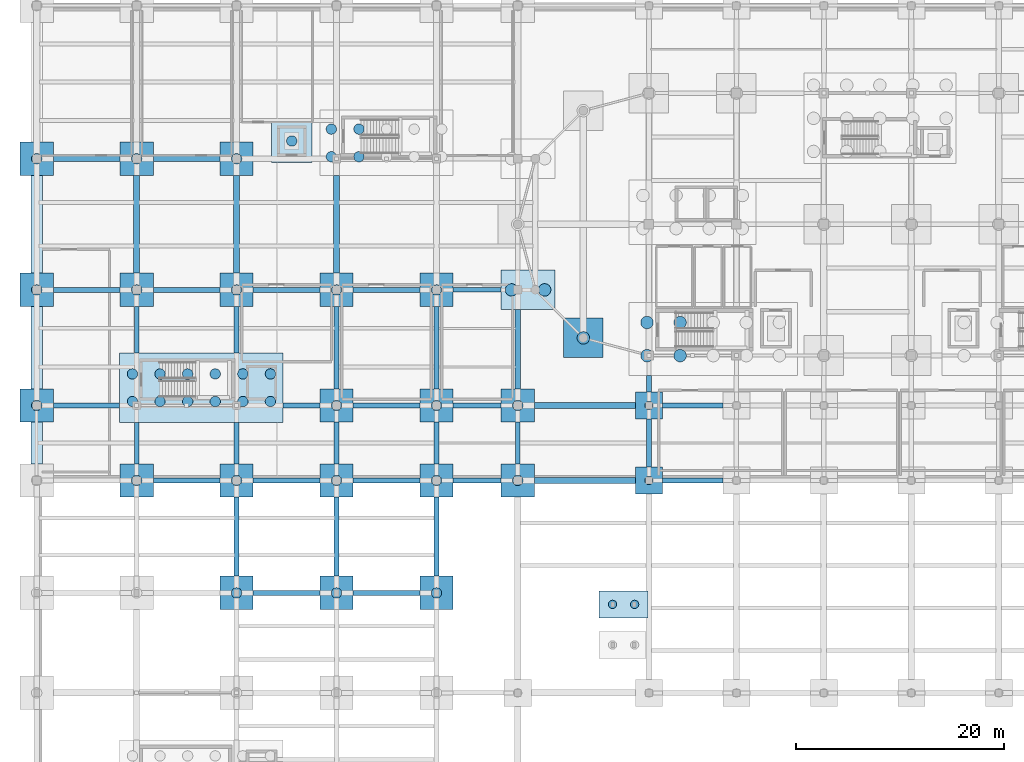
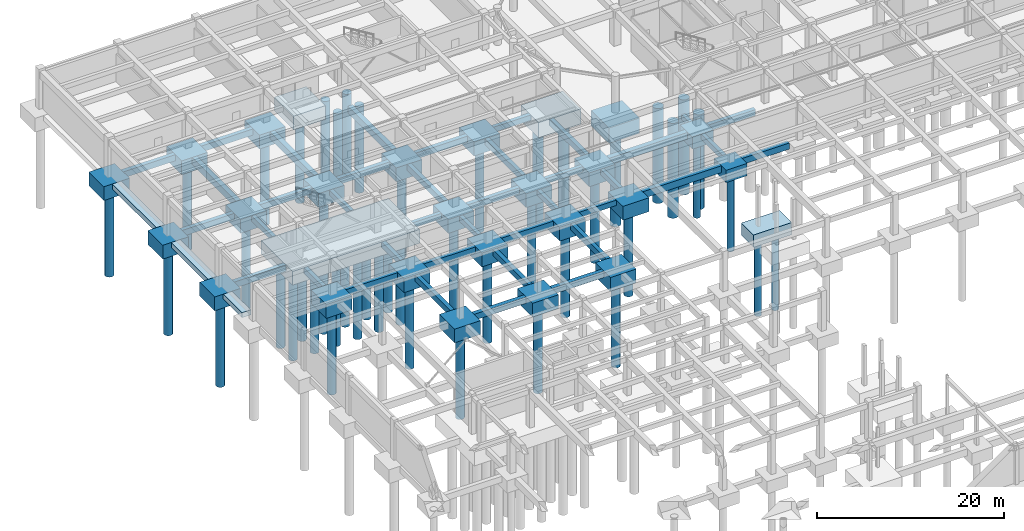
# One storey, part 3 of 37: 69 footings, 48 piles.
"""IFC4 building model written with IfcOpenShell, lengths in metres."""

from ifc_helpers import new_model, si_unit, direction, frame, origin, origin_2d, place, context, subcontext, project, spatial, rectangle, circle, extrude, material, material_profile, profile_set, type_object, element, save


model = new_model("IFC4")

# Units and contexts
model_context = context("Model", 3, precision=1e-05, world=origin(), true_north=direction((0.0, 1.0)))
body_context = subcontext(model_context, "Body", "Model", "MODEL_VIEW")
ifc_project = project(units=[si_unit("LENGTHUNIT", "METRE"), si_unit("AREAUNIT", "SQUARE_METRE"), si_unit("VOLUMEUNIT", "CUBIC_METRE"), si_unit("PLANEANGLEUNIT", "RADIAN"), si_unit("MASSUNIT", "GRAM", prefix="KILO")], contexts=[model_context])

# Site, building, storey
site_placement = place(None, origin())
site = spatial("IfcSite", under=ifc_project, at=site_placement, CompositionType="ELEMENT")
building_placement = place(site_placement, origin())
building = spatial("IfcBuilding", under=site, at=building_placement, Name="Tarnavel Promenade Courthouse", CompositionType="ELEMENT")
storey_placement = place(building_placement, frame((0.0, 0.0, -4.800048828125)))
storey = spatial("IfcBuildingStorey", under=building, at=storey_placement, Name="B01", CompositionType="ELEMENT", Elevation=-4.800048828125)

# Piles
ifc_material_1 = material(Name="Concrete C30/37", Category="concrete")
ifc_material_profile_1 = material_profile(ifc_material_1, circle(Radius=0.5, at=origin_2d()), Name="PILE D1000")
ifc_profile_set_1 = profile_set([ifc_material_profile_1], Name="Concrete C30/37")
pile_type_1 = type_object("IfcPileType", Name="Concrete C30/37 PIL-D1000 (PILE D1000)", PredefinedType="BORED", material=ifc_profile_set_1)
for number, where, z_axis, x_axis, name in (
    (1, (19.199951171875, 56.39990234375, -2.119873046875), (0.0, 0.0, -1.0), (1.0, 0.0, 0.0), "Bored Pile 090-11"),
    (2, (28.800048828125, 56.39990234375, -2.119873046875), (0.0, 0.0, -1.0), (1.0, 0.0, 0.0), "Bored Pile 091-11"),
    (3, (38.39990234375, 56.39990234375, -2.119873046875), (0.0, 0.0, -1.0), (1.0, 0.0, 0.0), "Bored Pile 092-11"),
    (4, (9.60009765625, 67.199951171875, -2.119873046875), (0.0, 0.0, -1.0), (1.0, 0.0, 0.0), "Bored Pile 100-11"),
    (5, (19.199951171875, 67.199951171875, -2.119873046875), (0.0, 0.0, -1.0), (1.0, 0.0, 0.0), "Bored Pile 101-11"),
    (6, (28.800048828125, 67.199951171875, -2.119873046875), (0.0, 0.0, -1.0), (1.0, 0.0, 0.0), "Bored Pile 102-11"),
    (7, (38.39990234375, 67.199951171875, -2.119873046875), (0.0, 0.0, -1.0), (1.0, 0.0, 0.0), "Bored Pile 103-11"),
    (8, (46.199951171875, 67.199951171875, -2.119873046875), (0.0, 0.0, -1.0), (1.0, 0.0, 0.0), "Bored Pile 104-11"),
    (9, (0.0, 74.39990234375, -2.119873046875), (0.0, 0.0, -1.0), (1.0, 0.0, 0.0), "Bored Pile 120-11"),
    (10, (9.199951171875, 74.780029296875, -2.119873046875), (0.0, 0.0, -1.0), (1.0, 0.0, 0.0), "Bored Pile 121-11"),
    (11, (9.199951171875, 77.429931640625, -2.119873046875), (0.0, 0.0, -1.0), (1.0, 0.0, 0.0), "Bored Pile 121-12"),
    (12, (11.85009765625, 74.780029296875, -2.119873046875), (0.0, 0.0, -1.0), (1.0, 0.0, 0.0), "Bored Pile 121-21"),
    (13, (11.85009765625, 77.429931640625, -2.119873046875), (0.0, 0.0, -1.0), (1.0, 0.0, 0.0), "Bored Pile 121-22"),
    (14, (14.5, 74.780029296875, -2.119873046875), (0.0, 0.0, -1.0), (1.0, 0.0, 0.0), "Bored Pile 121-31"),
    (15, (14.5, 77.429931640625, -2.119873046875), (0.0, 0.0, -1.0), (1.0, 0.0, 0.0), "Bored Pile 121-32"),
    (16, (17.14990234375, 74.780029296875, -2.119873046875), (0.0, 0.0, -1.0), (1.0, 0.0, 0.0), "Bored Pile 121-41"),
    (17, (17.14990234375, 77.429931640625, -2.119873046875), (0.0, 0.0, -1.0), (1.0, 0.0, 0.0), "Bored Pile 121-42"),
    (18, (19.800048828125, 74.780029296875, -2.119873046875), (0.0, 0.0, -1.0), (1.0, 0.0, 0.0), "Bored Pile 121-51"),
    (19, (19.800048828125, 77.429931640625, -2.119873046875), (0.0, 0.0, -1.0), (1.0, 0.0, 0.0), "Bored Pile 121-52"),
    (20, (22.449951171875, 74.780029296875, -2.119873046875), (0.0, 0.0, -1.0), (1.0, 0.0, 0.0), "Bored Pile 121-61"),
    (21, (22.449951171875, 77.429931640625, -2.119873046875), (0.0, 0.0, -1.0), (1.0, 0.0, 0.0), "Bored Pile 121-62"),
    (22, (28.800048828125, 74.39990234375, -2.119873046875), (0.0, 0.0, -1.0), (1.0, 0.0, 0.0), "Bored Pile 122-11"),
    (23, (38.39990234375, 74.39990234375, -2.119873046875), (0.0, 0.0, -1.0), (1.0, 0.0, 0.0), "Bored Pile 123-11"),
    (24, (46.199951171875, 74.39990234375, -2.119873046875), (0.0, 0.0, -1.0), (1.0, 0.0, 0.0), "Bored Pile 124-11"),
    (25, (0.0, 85.5, -2.119873046875), (0.0, 0.0, -1.0), (1.0, 0.0, 0.0), "Bored Pile 144-11"),
    (26, (9.60009765625, 85.5, -2.119873046875), (0.0, 0.0, -1.0), (1.0, 0.0, 0.0), "Bored Pile 145-11"),
    (27, (19.199951171875, 85.5, -2.119873046875), (0.0, 0.0, -1.0), (1.0, 0.0, 0.0), "Bored Pile 146-11"),
    (28, (28.800048828125, 85.5, -2.119873046875), (0.0, 0.0, -1.0), (1.0, 0.0, 0.0), "Bored Pile 147-11"),
    (29, (38.39990234375, 85.5, -2.119873046875), (0.0, 0.0, -1.0), (1.0, 0.0, 0.0), "Bored Pile 148-11"),
    (30, (0.0, 98.10009765625, -2.119873046875), (0.0, 0.0, -1.0), (1.0, 0.0, 0.0), "Bored Pile 163-11"),
    (31, (9.60009765625, 98.10009765625, -2.119873046875), (0.0, 0.0, -1.0), (1.0, 0.0, 0.0), "Bored Pile 164-11"),
    (32, (19.199951171875, 98.10009765625, -2.119873046875), (0.0, 0.0, -1.0), (1.0, 0.0, 0.0), "Bored Pile 165-11"),
    (33, (28.300048828125, 98.2900390625, -2.119873046875), (0.0, 0.0, -1.0), (1.0, 0.0, 0.0), "Bored Pile 166-11"),
    (34, (28.300048828125, 100.93994140625, -2.119873046875), (0.0, 0.0, -1.0), (1.0, 0.0, 0.0), "Bored Pile 166-12"),
    (35, (30.949951171875, 98.2900390625, -2.119873046875), (0.0, 0.0, -1.0), (1.0, 0.0, 0.0), "Bored Pile 166-21"),
    (36, (30.949951171875, 100.93994140625, -2.119873046875), (0.0, 0.0, -1.0), (1.0, 0.0, 0.0), "Bored Pile 166-22"),
    (37, (24.5, 99.800048828125, -2.119873046875), (0.0, 0.0, -1.0), (1.0, 0.0, 0.0), "Bored Pile 173-11"),
):
    element("IfcPile", number, at=place(storey_placement, frame(where, z_axis=z_axis, x_axis=x_axis)), inside=storey, type_object=pile_type_1, Name=name, PredefinedType="BORED", context=body_context, shape_type="SweptSolid", body=[
        extrude(circle(Radius=0.5, at=origin_2d()), origin(), (0.0, 0.0, 1.0), 11.280029296875),
    ])
ifc_material_profile_2 = material_profile(ifc_material_1, circle(Radius=0.60009765625, at=origin_2d()), Name="PILE D1200")
ifc_profile_set_2 = profile_set([ifc_material_profile_2], Name="Concrete C30/37")
pile_type_2 = type_object("IfcPileType", Name="Concrete C30/37 PIL-D1200 (PILE D1200)", PredefinedType="BORED", material=ifc_profile_set_2)
for number, where, z_axis, x_axis, name in (
    (38, (58.614990234375, 79.18505859375, -2.320068359375), (0.0, 0.0, -1.0), (1.0, 0.0, 0.0), "Bored Pile 136-11"),
    (39, (58.614990234375, 82.364990234375, -2.320068359375), (0.0, 0.0, -1.0), (1.0, 0.0, 0.0), "Bored Pile 136-12"),
    (40, (61.794921875, 79.18505859375, -2.320068359375), (0.0, 0.0, -1.0), (1.0, 0.0, 0.0), "Bored Pile 136-21"),
    (41, (61.794921875, 82.364990234375, -2.320068359375), (0.0, 0.0, -1.0), (1.0, 0.0, 0.0), "Bored Pile 136-22"),
    (42, (52.5, 80.88818359375, -2.320068359375), (0.0, 0.0, -1.0), (1.0, 0.0, 0.0), "Bored Pile 140-11"),
    (43, (45.60400390625, 85.5, -2.320068359375), (0.0, 0.0, -1.0), (1.0, 0.0, 0.0), "Bored Pile 142-11"),
    (44, (48.7841796875, 85.5, -2.320068359375), (0.0, 0.0, -1.0), (1.0, 0.0, 0.0), "Bored Pile 142-21"),
):
    element("IfcPile", number, at=place(storey_placement, frame(where, z_axis=z_axis, x_axis=x_axis)), inside=storey, type_object=pile_type_2, Name=name, PredefinedType="BORED", context=body_context, shape_type="SweptSolid", body=[
        extrude(circle(Radius=0.60009765625, at=origin_2d()), origin(), (0.0, 0.0, 1.0), 12.3798828125),
    ])
ifc_material_profile_3 = material_profile(ifc_material_1, circle(Radius=0.39990234375, at=origin_2d()), Name="PILE D800")
ifc_profile_set_3 = profile_set([ifc_material_profile_3], Name="Concrete C30/37")
pile_type_3 = type_object("IfcPileType", Name="Concrete C30/37 PIL-D800 (PILE D800)", PredefinedType="BORED", material=ifc_profile_set_3)
for number, where, z_axis, x_axis, name in (
    (45, (55.304931640625, 55.300048828125, -1.919921875), (0.0, 0.0, -1.0), (1.0, 0.0, 0.0), "Bored Pile 087-11"),
    (46, (57.425048828125, 55.300048828125, -1.919921875), (0.0, 0.0, -1.0), (1.0, 0.0, 0.0), "Bored Pile 087-21"),
    (47, (58.800048828125, 67.199951171875, -1.919921875), (0.0, 0.0, -1.0), (1.0, 0.0, 0.0), "Bored Pile 113-11"),
    (48, (58.800048828125, 74.39990234375, -1.919921875), (0.0, 0.0, -1.0), (1.0, 0.0, 0.0), "Bored Pile 125-11"),
):
    element("IfcPile", number, at=place(storey_placement, frame(where, z_axis=z_axis, x_axis=x_axis)), inside=storey, type_object=pile_type_3, Name=name, PredefinedType="BORED", context=body_context, shape_type="SweptSolid", body=[
        extrude(circle(Radius=0.39990234375, at=origin_2d()), origin(), (0.0, 0.0, 1.0), 10.080078125),
    ])

# Footings
ifc_material_2 = material(Name="Concrete C35/45", Category="concrete")
ifc_material_profile_4 = material_profile(ifc_material_2, rectangle(XDim=0.449951171875, YDim=0.699951171875, at=origin_2d()), Name="GB 450x700")
ifc_profile_set_4 = profile_set([ifc_material_profile_4], Name="Concrete C35/45")
footing_type_1 = type_object("IfcFootingType", Name="Concrete C35/45 FTG-GB-450x700 (GB 450x700)", PredefinedType="FOOTING_BEAM", material=ifc_profile_set_4)
footing_1_placement = place(storey_placement, frame((40.0, 67.199951171875, -0.77001953125), z_axis=(1.0, 0.0, 0.0), x_axis=(0.0, 1.0, 0.0)))
element("IfcFooting", 49, at=footing_1_placement, inside=storey, type_object=footing_type_1, Name="Seismic Ground Tie Beam GB-X-085", PredefinedType="FOOTING_BEAM", context=body_context, shape_type="SweptSolid", body=[
    extrude(rectangle(XDim=0.449951171875, YDim=0.699951171875, at=origin_2d()), origin(), (0.0, 0.0, 1.0), 4.60009765625),
])
footing_2_placement = place(storey_placement, frame((23.675048828125, 74.39990234375, -0.77001953125), z_axis=(1.0, 0.0, 0.0), x_axis=(0.0, 1.0, 0.0)))
element("IfcFooting", 50, at=footing_2_placement, inside=storey, type_object=footing_type_1, Name="Seismic Ground Tie Beam GB-X-101", PredefinedType="FOOTING_BEAM", context=body_context, shape_type="SweptSolid", body=[
    extrude(rectangle(XDim=0.449951171875, YDim=0.699951171875, at=origin_2d()), origin(), (0.0, 0.0, 1.0), 3.52490234375),
])
footing_3_placement = place(storey_placement, frame((40.0, 74.39990234375, -0.77001953125), z_axis=(1.0, 0.0, 0.0), x_axis=(0.0, 1.0, 0.0)))
element("IfcFooting", 51, at=footing_3_placement, inside=storey, type_object=footing_type_1, Name="Seismic Ground Tie Beam GB-X-103", PredefinedType="FOOTING_BEAM", context=body_context, shape_type="SweptSolid", body=[
    extrude(rectangle(XDim=0.449951171875, YDim=0.699951171875, at=origin_2d()), origin(), (0.0, 0.0, 1.0), 4.60009765625),
])
footing_4_placement = place(storey_placement, frame((40.0, 85.5, -0.77001953125), z_axis=(1.0, 0.0, 0.0), x_axis=(0.0, 1.0, 0.0)))
element("IfcFooting", 52, at=footing_4_placement, inside=storey, type_object=footing_type_1, Name="Seismic Ground Tie Beam GB-X-121", PredefinedType="FOOTING_BEAM", context=body_context, shape_type="SweptSolid", body=[
    extrude(rectangle(XDim=0.449951171875, YDim=0.699951171875, at=origin_2d()), origin(), (0.0, 0.0, 1.0), 4.593994140625),
])
footing_5_placement = place(storey_placement, frame((9.60009765625, 68.800048828125, -0.77001953125), z_axis=(0.0, 1.0, 0.0), x_axis=(-1.0, 0.0, 0.0)))
element("IfcFooting", 53, at=footing_5_placement, inside=storey, type_object=footing_type_1, Name="Seismic Ground Tie Beam GB-Y-182", PredefinedType="FOOTING_BEAM", context=body_context, shape_type="SweptSolid", body=[
    extrude(rectangle(XDim=0.449951171875, YDim=0.699951171875, at=origin_2d()), origin(), (0.0, 0.0, 1.0), 3.954833984375),
])
footing_6_placement = place(storey_placement, frame((9.60009765625, 79.455078125, -0.77001953125), z_axis=(0.0, 1.0, 0.0), x_axis=(-1.0, 0.0, 0.0)))
element("IfcFooting", 54, at=footing_6_placement, inside=storey, type_object=footing_type_1, Name="Seismic Ground Tie Beam GB-Y-183", PredefinedType="FOOTING_BEAM", context=body_context, shape_type="SweptSolid", body=[
    extrude(rectangle(XDim=0.449951171875, YDim=0.699951171875, at=origin_2d()), origin(), (0.0, 0.0, 1.0), 4.44482421875),
])
footing_7_placement = place(storey_placement, frame((19.199951171875, 68.800048828125, -0.77001953125), z_axis=(0.0, 1.0, 0.0), x_axis=(-1.0, 0.0, 0.0)))
element("IfcFooting", 55, at=footing_7_placement, inside=storey, type_object=footing_type_1, Name="Seismic Ground Tie Beam GB-Y-189", PredefinedType="FOOTING_BEAM", context=body_context, shape_type="SweptSolid", body=[
    extrude(rectangle(XDim=0.449951171875, YDim=0.699951171875, at=origin_2d()), origin(), (0.0, 0.0, 1.0), 3.954833984375),
])
footing_8_placement = place(storey_placement, frame((19.199951171875, 79.455078125, -0.77001953125), z_axis=(0.0, 1.0, 0.0), x_axis=(-1.0, 0.0, 0.0)))
element("IfcFooting", 56, at=footing_8_placement, inside=storey, type_object=footing_type_1, Name="Seismic Ground Tie Beam GB-Y-190", PredefinedType="FOOTING_BEAM", context=body_context, shape_type="SweptSolid", body=[
    extrude(rectangle(XDim=0.449951171875, YDim=0.699951171875, at=origin_2d()), origin(), (0.0, 0.0, 1.0), 4.44482421875),
])
for number, where, z_axis, x_axis, name in (
    (57, (28.800048828125, 68.800048828125, -0.77001953125), (0.0, 1.0, 0.0), (-1.0, 0.0, 0.0), "Seismic Ground Tie Beam GB-Y-197"),
    (58, (38.39990234375, 68.800048828125, -0.77001953125), (0.0, 1.0, 0.0), (-1.0, 0.0, 0.0), "Seismic Ground Tie Beam GB-Y-204"),
    (59, (46.199951171875, 68.800048828125, -0.77001953125), (0.0, 1.0, 0.0), (-1.0, 0.0, 0.0), "Seismic Ground Tie Beam GB-Y-209"),
):
    element("IfcFooting", number, at=place(storey_placement, frame(where, z_axis=z_axis, x_axis=x_axis)), inside=storey, type_object=footing_type_1, Name=name, PredefinedType="FOOTING_BEAM", context=body_context, shape_type="SweptSolid", body=[
        extrude(rectangle(XDim=0.449951171875, YDim=0.699951171875, at=origin_2d()), origin(), (0.0, 0.0, 1.0), 4.0),
    ])
footing_9_placement = place(storey_placement, frame((58.800048828125, 68.5, -0.77001953125), z_axis=(0.0, 1.0, 0.0), x_axis=(-1.0, 0.0, 0.0)))
element("IfcFooting", 60, at=footing_9_placement, inside=storey, type_object=footing_type_1, Name="Seismic Ground Tie Beam GB-Y-214", PredefinedType="FOOTING_BEAM", context=body_context, shape_type="SweptSolid", body=[
    extrude(rectangle(XDim=0.449951171875, YDim=0.699951171875, at=origin_2d()), origin(), (0.0, 0.0, 1.0), 4.60009765625),
])
footing_10_placement = place(storey_placement, frame((58.800048828125, 75.699951171875, -0.77001953125), z_axis=(0.0, 1.0, 0.0), x_axis=(-1.0, 0.0, 0.0)))
element("IfcFooting", 61, at=footing_10_placement, inside=storey, type_object=footing_type_1, Name="Seismic Ground Tie Beam GB-Y-215", PredefinedType="FOOTING_BEAM", context=body_context, shape_type="SweptSolid", body=[
    extrude(rectangle(XDim=0.449951171875, YDim=0.699951171875, at=origin_2d()), origin(), (0.0, 0.0, 1.0), 1.574951171875),
])
ifc_material_profile_5 = material_profile(ifc_material_2, rectangle(XDim=0.5, YDim=0.800048828125, at=origin_2d()), Name="GB 500x800")
ifc_profile_set_5 = profile_set([ifc_material_profile_5], Name="Concrete C35/45")
footing_type_2 = type_object("IfcFootingType", Name="Concrete C35/45 FTG-GB-500x800 (GB 500x800)", PredefinedType="FOOTING_BEAM", material=ifc_profile_set_5)
footing_11_placement = place(storey_placement, frame((20.800048828125, 56.39990234375, -0.820068359375), z_axis=(1.0, 0.0, 0.0), x_axis=(0.0, 1.0, 0.0)))
element("IfcFooting", 62, at=footing_11_placement, inside=storey, type_object=footing_type_2, Name="Seismic Ground Tie Beam GB-X-075", PredefinedType="FOOTING_BEAM", context=body_context, shape_type="SweptSolid", body=[
    extrude(rectangle(XDim=0.5, YDim=0.800048828125, at=origin_2d()), origin(), (0.0, 0.0, 1.0), 6.39990234375),
])
for number, where, z_axis, x_axis, name in (
    (63, (30.39990234375, 56.39990234375, -0.820068359375), (1.0, 0.0, 0.0), (0.0, 1.0, 0.0), "Seismic Ground Tie Beam GB-X-076"),
    (64, (11.199951171875, 67.199951171875, -0.820068359375), (1.0, 0.0, 0.0), (0.0, 1.0, 0.0), "Seismic Ground Tie Beam GB-X-082"),
):
    element("IfcFooting", number, at=place(storey_placement, frame(where, z_axis=z_axis, x_axis=x_axis)), inside=storey, type_object=footing_type_2, Name=name, PredefinedType="FOOTING_BEAM", context=body_context, shape_type="SweptSolid", body=[
        extrude(rectangle(XDim=0.5, YDim=0.800048828125, at=origin_2d()), origin(), (0.0, 0.0, 1.0), 6.400146484375),
    ])
footing_12_placement = place(storey_placement, frame((20.800048828125, 67.199951171875, -0.820068359375), z_axis=(1.0, 0.0, 0.0), x_axis=(0.0, 1.0, 0.0)))
element("IfcFooting", 65, at=footing_12_placement, inside=storey, type_object=footing_type_2, Name="Seismic Ground Tie Beam GB-X-083", PredefinedType="FOOTING_BEAM", context=body_context, shape_type="SweptSolid", body=[
    extrude(rectangle(XDim=0.5, YDim=0.800048828125, at=origin_2d()), origin(), (0.0, 0.0, 1.0), 6.39990234375),
])
footing_13_placement = place(storey_placement, frame((30.39990234375, 67.199951171875, -0.820068359375), z_axis=(1.0, 0.0, 0.0), x_axis=(0.0, 1.0, 0.0)))
element("IfcFooting", 66, at=footing_13_placement, inside=storey, type_object=footing_type_2, Name="Seismic Ground Tie Beam GB-X-084", PredefinedType="FOOTING_BEAM", context=body_context, shape_type="SweptSolid", body=[
    extrude(rectangle(XDim=0.5, YDim=0.800048828125, at=origin_2d()), origin(), (0.0, 0.0, 1.0), 6.400146484375),
])
footing_14_placement = place(storey_placement, frame((60.10009765625, 67.199951171875, -0.820068359375), z_axis=(1.0, 0.0, 0.0), x_axis=(0.0, 1.0, 0.0)))
element("IfcFooting", 67, at=footing_14_placement, inside=storey, type_object=footing_type_2, Name="Seismic Ground Tie Beam GB-X-087", PredefinedType="FOOTING_BEAM", context=body_context, shape_type="SweptSolid", body=[
    extrude(rectangle(XDim=0.5, YDim=0.800048828125, at=origin_2d()), origin(), (0.0, 0.0, 1.0), 5.7998046875),
])
footing_15_placement = place(storey_placement, frame((1.60009765625, 74.39990234375, -0.820068359375), z_axis=(1.0, 0.0, 0.0), x_axis=(0.0, 1.0, 0.0)))
element("IfcFooting", 68, at=footing_15_placement, inside=storey, type_object=footing_type_2, Name="Seismic Ground Tie Beam GB-X-100", PredefinedType="FOOTING_BEAM", context=body_context, shape_type="SweptSolid", body=[
    extrude(rectangle(XDim=0.5, YDim=0.800048828125, at=origin_2d()), origin(), (0.0, 0.0, 1.0), 6.375),
])
footing_16_placement = place(storey_placement, frame((30.39990234375, 74.39990234375, -0.820068359375), z_axis=(1.0, 0.0, 0.0), x_axis=(0.0, 1.0, 0.0)))
element("IfcFooting", 69, at=footing_16_placement, inside=storey, type_object=footing_type_2, Name="Seismic Ground Tie Beam GB-X-102", PredefinedType="FOOTING_BEAM", context=body_context, shape_type="SweptSolid", body=[
    extrude(rectangle(XDim=0.5, YDim=0.800048828125, at=origin_2d()), origin(), (0.0, 0.0, 1.0), 6.400146484375),
])
footing_17_placement = place(storey_placement, frame((60.10009765625, 74.39990234375, -0.820068359375), z_axis=(1.0, 0.0, 0.0), x_axis=(0.0, 1.0, 0.0)))
element("IfcFooting", 70, at=footing_17_placement, inside=storey, type_object=footing_type_2, Name="Seismic Ground Tie Beam GB-X-105", PredefinedType="FOOTING_BEAM", context=body_context, shape_type="SweptSolid", body=[
    extrude(rectangle(XDim=0.5, YDim=0.800048828125, at=origin_2d()), origin(), (0.0, 0.0, 1.0), 5.7998046875),
])
footing_18_placement = place(storey_placement, frame((1.60009765625, 85.5, -0.820068359375), z_axis=(1.0, 0.0, 0.0), x_axis=(0.0, 1.0, 0.0)))
element("IfcFooting", 71, at=footing_18_placement, inside=storey, type_object=footing_type_2, Name="Seismic Ground Tie Beam GB-X-117", PredefinedType="FOOTING_BEAM", context=body_context, shape_type="SweptSolid", body=[
    extrude(rectangle(XDim=0.5, YDim=0.800048828125, at=origin_2d()), origin(), (0.0, 0.0, 1.0), 6.39990234375),
])
footing_19_placement = place(storey_placement, frame((11.199951171875, 85.5, -0.820068359375), z_axis=(1.0, 0.0, 0.0), x_axis=(0.0, 1.0, 0.0)))
element("IfcFooting", 72, at=footing_19_placement, inside=storey, type_object=footing_type_2, Name="Seismic Ground Tie Beam GB-X-118", PredefinedType="FOOTING_BEAM", context=body_context, shape_type="SweptSolid", body=[
    extrude(rectangle(XDim=0.5, YDim=0.800048828125, at=origin_2d()), origin(), (0.0, 0.0, 1.0), 6.400146484375),
])
footing_20_placement = place(storey_placement, frame((20.800048828125, 85.5, -0.820068359375), z_axis=(1.0, 0.0, 0.0), x_axis=(0.0, 1.0, 0.0)))
element("IfcFooting", 73, at=footing_20_placement, inside=storey, type_object=footing_type_2, Name="Seismic Ground Tie Beam GB-X-119", PredefinedType="FOOTING_BEAM", context=body_context, shape_type="SweptSolid", body=[
    extrude(rectangle(XDim=0.5, YDim=0.800048828125, at=origin_2d()), origin(), (0.0, 0.0, 1.0), 6.39990234375),
])
footing_21_placement = place(storey_placement, frame((30.39990234375, 85.5, -0.820068359375), z_axis=(1.0, 0.0, 0.0), x_axis=(0.0, 1.0, 0.0)))
element("IfcFooting", 74, at=footing_21_placement, inside=storey, type_object=footing_type_2, Name="Seismic Ground Tie Beam GB-X-120", PredefinedType="FOOTING_BEAM", context=body_context, shape_type="SweptSolid", body=[
    extrude(rectangle(XDim=0.5, YDim=0.800048828125, at=origin_2d()), origin(), (0.0, 0.0, 1.0), 6.400146484375),
])
footing_22_placement = place(storey_placement, frame((1.60009765625, 98.10009765625, -0.820068359375), z_axis=(1.0, 0.0, 0.0), x_axis=(0.0, 1.0, 0.0)))
element("IfcFooting", 75, at=footing_22_placement, inside=storey, type_object=footing_type_2, Name="Seismic Ground Tie Beam GB-X-133", PredefinedType="FOOTING_BEAM", context=body_context, shape_type="SweptSolid", body=[
    extrude(rectangle(XDim=0.5, YDim=0.800048828125, at=origin_2d()), origin(), (0.0, 0.0, 1.0), 6.39990234375),
])
footing_23_placement = place(storey_placement, frame((11.199951171875, 98.10009765625, -0.820068359375), z_axis=(1.0, 0.0, 0.0), x_axis=(0.0, 1.0, 0.0)))
element("IfcFooting", 76, at=footing_23_placement, inside=storey, type_object=footing_type_2, Name="Seismic Ground Tie Beam GB-X-134", PredefinedType="FOOTING_BEAM", context=body_context, shape_type="SweptSolid", body=[
    extrude(rectangle(XDim=0.5, YDim=0.800048828125, at=origin_2d()), origin(), (0.0, 0.0, 1.0), 6.400146484375),
])
for number, where, z_axis, x_axis, name in (
    (77, (19.199951171875, 58.0, -0.820068359375), (0.0, 1.0, 0.0), (-1.0, 0.0, 0.0), "Seismic Ground Tie Beam GB-Y-188"),
    (78, (28.800048828125, 58.0, -0.820068359375), (0.0, 1.0, 0.0), (-1.0, 0.0, 0.0), "Seismic Ground Tie Beam GB-Y-196"),
):
    element("IfcFooting", number, at=place(storey_placement, frame(where, z_axis=z_axis, x_axis=x_axis)), inside=storey, type_object=footing_type_2, Name=name, PredefinedType="FOOTING_BEAM", context=body_context, shape_type="SweptSolid", body=[
        extrude(rectangle(XDim=0.5, YDim=0.800048828125, at=origin_2d()), origin(), (0.0, 0.0, 1.0), 7.60009765625),
    ])
footing_24_placement = place(storey_placement, frame((28.800048828125, 76.0, -0.820068359375), z_axis=(0.0, 1.0, 0.0), x_axis=(-1.0, 0.0, 0.0)))
element("IfcFooting", 79, at=footing_24_placement, inside=storey, type_object=footing_type_2, Name="Seismic Ground Tie Beam GB-Y-198", PredefinedType="FOOTING_BEAM", context=body_context, shape_type="SweptSolid", body=[
    extrude(rectangle(XDim=0.5, YDim=0.800048828125, at=origin_2d()), origin(), (0.0, 0.0, 1.0), 7.89990234375),
])
footing_25_placement = place(storey_placement, frame((38.39990234375, 58.0, -0.820068359375), z_axis=(0.0, 1.0, 0.0), x_axis=(-1.0, 0.0, 0.0)))
element("IfcFooting", 80, at=footing_25_placement, inside=storey, type_object=footing_type_2, Name="Seismic Ground Tie Beam GB-Y-203", PredefinedType="FOOTING_BEAM", context=body_context, shape_type="SweptSolid", body=[
    extrude(rectangle(XDim=0.5, YDim=0.800048828125, at=origin_2d()), origin(), (0.0, 0.0, 1.0), 7.60009765625),
])
footing_26_placement = place(storey_placement, frame((38.39990234375, 76.0, -0.820068359375), z_axis=(0.0, 1.0, 0.0), x_axis=(-1.0, 0.0, 0.0)))
element("IfcFooting", 81, at=footing_26_placement, inside=storey, type_object=footing_type_2, Name="Seismic Ground Tie Beam GB-Y-205", PredefinedType="FOOTING_BEAM", context=body_context, shape_type="SweptSolid", body=[
    extrude(rectangle(XDim=0.5, YDim=0.800048828125, at=origin_2d()), origin(), (0.0, 0.0, 1.0), 7.89990234375),
])
footing_27_placement = place(storey_placement, frame((46.199951171875, 76.0, -0.820068359375), z_axis=(0.0, 1.0, 0.0), x_axis=(-1.0, 0.0, 0.0)))
element("IfcFooting", 82, at=footing_27_placement, inside=storey, type_object=footing_type_2, Name="Seismic Ground Tie Beam GB-Y-210", PredefinedType="FOOTING_BEAM", context=body_context, shape_type="SweptSolid", body=[
    extrude(rectangle(XDim=0.5, YDim=0.800048828125, at=origin_2d()), origin(), (0.0, 0.0, 1.0), 7.60009765625),
])
ifc_material_profile_6 = material_profile(ifc_material_2, rectangle(XDim=0.60009765625, YDim=0.89990234375, at=origin_2d()), Name="GB 600x900")
ifc_profile_set_6 = profile_set([ifc_material_profile_6], Name="Concrete C35/45")
footing_type_3 = type_object("IfcFootingType", Name="Concrete C35/45 FTG-GB-600x900 (GB 600x900)", PredefinedType="FOOTING_BEAM", material=ifc_profile_set_6)
for number, where, z_axis, x_axis, name in (
    (83, (47.800048828125, 67.199951171875, -0.869873046875), (1.0, 0.0, 0.0), (0.0, 1.0, 0.0), "Seismic Ground Tie Beam GB-X-086"),
    (84, (47.800048828125, 74.39990234375, -0.869873046875), (1.0, 0.0, 0.0), (0.0, 1.0, 0.0), "Seismic Ground Tie Beam GB-X-104"),
):
    element("IfcFooting", number, at=place(storey_placement, frame(where, z_axis=z_axis, x_axis=x_axis)), inside=storey, type_object=footing_type_3, Name=name, PredefinedType="FOOTING_BEAM", context=body_context, shape_type="SweptSolid", body=[
        extrude(rectangle(XDim=0.60009765625, YDim=0.89990234375, at=origin_2d()), origin(), (0.0, 0.0, 1.0), 9.699951171875),
    ])
for number, where, z_axis, x_axis, name in (
    (85, (9.60009765625, 87.10009765625, -0.869873046875), (0.0, 1.0, 0.0), (-1.0, 0.0, 0.0), "Seismic Ground Tie Beam GB-Y-184"),
    (86, (19.199951171875, 87.10009765625, -0.869873046875), (0.0, 1.0, 0.0), (-1.0, 0.0, 0.0), "Seismic Ground Tie Beam GB-Y-191"),
):
    element("IfcFooting", number, at=place(storey_placement, frame(where, z_axis=z_axis, x_axis=x_axis)), inside=storey, type_object=footing_type_3, Name=name, PredefinedType="FOOTING_BEAM", context=body_context, shape_type="SweptSolid", body=[
        extrude(rectangle(XDim=0.60009765625, YDim=0.89990234375, at=origin_2d()), origin(), (0.0, 0.0, 1.0), 9.39990234375),
    ])
footing_28_placement = place(storey_placement, frame((28.800048828125, 87.10009765625, -0.869873046875), z_axis=(0.0, 1.0, 0.0), x_axis=(-1.0, 0.0, 0.0)))
element("IfcFooting", 87, at=footing_28_placement, inside=storey, type_object=footing_type_3, Name="Seismic Ground Tie Beam GB-Y-199", PredefinedType="FOOTING_BEAM", context=body_context, shape_type="SweptSolid", body=[
    extrude(rectangle(XDim=0.60009765625, YDim=0.89990234375, at=origin_2d()), origin(), (0.0, 0.0, 1.0), 9.364990234375),
])
ifc_material_profile_7 = material_profile(ifc_material_2, rectangle(XDim=1.10009765625, YDim=0.64990234375, at=origin_2d()), Name="SF 1100x650")
ifc_profile_set_7 = profile_set([ifc_material_profile_7], Name="Concrete C35/45")
footing_type_4 = type_object("IfcFootingType", Name="Concrete C35/45 FTG-SF-1100x650 (SF 1100x650)", PredefinedType="STRIP_FOOTING", material=ifc_profile_set_7)
footing_29_placement = place(storey_placement, frame((0.0, 68.800048828125, -0.744873046875), z_axis=(0.0, 1.0, 0.0), x_axis=(-1.0, 0.0, 0.0)))
element("IfcFooting", 88, at=footing_29_placement, inside=storey, type_object=footing_type_4, Name="Retaining Wall Strip Footing SF-172", PredefinedType="STRIP_FOOTING", context=body_context, shape_type="SweptSolid", body=[
    extrude(rectangle(XDim=1.10009765625, YDim=0.64990234375, at=origin_2d()), origin(), (0.0, 0.0, 1.0), 4.0),
])
footing_30_placement = place(storey_placement, frame((0.0, 76.0, -0.744873046875), z_axis=(0.0, 1.0, 0.0), x_axis=(-1.0, 0.0, 0.0)))
element("IfcFooting", 89, at=footing_30_placement, inside=storey, type_object=footing_type_4, Name="Retaining Wall Strip Footing SF-173", PredefinedType="STRIP_FOOTING", context=body_context, shape_type="SweptSolid", body=[
    extrude(rectangle(XDim=1.10009765625, YDim=0.64990234375, at=origin_2d()), origin(), (0.0, 0.0, 1.0), 7.89990234375),
])
footing_31_placement = place(storey_placement, frame((0.0, 87.10009765625, -0.744873046875), z_axis=(0.0, 1.0, 0.0), x_axis=(-1.0, 0.0, 0.0)))
element("IfcFooting", 90, at=footing_31_placement, inside=storey, type_object=footing_type_4, Name="Retaining Wall Strip Footing SF-174", PredefinedType="STRIP_FOOTING", context=body_context, shape_type="SweptSolid", body=[
    extrude(rectangle(XDim=1.10009765625, YDim=0.64990234375, at=origin_2d()), origin(), (0.0, 0.0, 1.0), 9.39990234375),
])
footing_type_5 = type_object("IfcFootingType", Name="Concrete C35/45 Pile Cap PC-01 (2600x2600x1600)", PredefinedType="PILE_CAP", material=ifc_material_2)
for number, where, z_axis, x_axis, name in (
    (91, (58.800048828125, 67.199951171875, -2.02001953125), (0.0, 0.0, 1.0), (1.0, 0.0, 0.0), "Pile Cap 113"),
    (92, (58.800048828125, 74.39990234375, -2.02001953125), (0.0, 0.0, 1.0), (1.0, 0.0, 0.0), "Pile Cap 125"),
):
    element("IfcFooting", number, at=place(storey_placement, frame(where, z_axis=z_axis, x_axis=x_axis)), inside=storey, type_object=footing_type_5, Name=name, PredefinedType="PILE_CAP", context=body_context, shape_type="SweptSolid", body=[
        extrude(rectangle(XDim=2.60009765625, YDim=2.60009765625, at=origin_2d()), origin(), (0.0, 0.0, 1.0), 1.60009765625),
    ])
footing_type_6 = type_object("IfcFootingType", Name="Concrete C35/45 Pile Cap PC-05 (4700x2600x1600)", PredefinedType="PILE_CAP", material=ifc_material_2)
footing_32_placement = place(storey_placement, frame((56.364990234375, 55.300048828125, -2.02001953125), z_axis=(0.0, 0.0, 1.0), x_axis=(1.0, 0.0, 0.0)))
element("IfcFooting", 93, at=footing_32_placement, inside=storey, type_object=footing_type_6, Name="Pile Cap 087", PredefinedType="PILE_CAP", context=body_context, shape_type="SweptSolid", body=[
    extrude(rectangle(XDim=4.699951171875, YDim=2.60009765625, at=origin_2d()), origin(), (0.0, 0.0, 1.0), 1.60009765625),
])
footing_type_7 = type_object("IfcFootingType", Name="Concrete C35/45 Pile Cap PC-06 (3200x3200x1800)", PredefinedType="PILE_CAP", material=ifc_material_2)
for number, where, z_axis, x_axis, name in (
    (94, (19.199951171875, 56.39990234375, -2.22021484375), (0.0, 0.0, 1.0), (1.0, 0.0, 0.0), "Pile Cap 090"),
    (95, (28.800048828125, 56.39990234375, -2.22021484375), (0.0, 0.0, 1.0), (1.0, 0.0, 0.0), "Pile Cap 091"),
    (96, (38.39990234375, 56.39990234375, -2.22021484375), (0.0, 0.0, 1.0), (1.0, 0.0, 0.0), "Pile Cap 092"),
    (97, (9.60009765625, 67.199951171875, -2.22021484375), (0.0, 0.0, 1.0), (1.0, 0.0, 0.0), "Pile Cap 100"),
    (98, (19.199951171875, 67.199951171875, -2.22021484375), (0.0, 0.0, 1.0), (1.0, 0.0, 0.0), "Pile Cap 101"),
    (99, (28.800048828125, 67.199951171875, -2.22021484375), (0.0, 0.0, 1.0), (1.0, 0.0, 0.0), "Pile Cap 102"),
    (100, (38.39990234375, 67.199951171875, -2.22021484375), (0.0, 0.0, 1.0), (1.0, 0.0, 0.0), "Pile Cap 103"),
    (101, (46.199951171875, 67.199951171875, -2.22021484375), (0.0, 0.0, 1.0), (1.0, 0.0, 0.0), "Pile Cap 104"),
    (102, (0.0, 74.39990234375, -2.22021484375), (0.0, 0.0, 1.0), (1.0, 0.0, 0.0), "Pile Cap 120"),
    (103, (28.800048828125, 74.39990234375, -2.22021484375), (0.0, 0.0, 1.0), (1.0, 0.0, 0.0), "Pile Cap 122"),
    (104, (38.39990234375, 74.39990234375, -2.22021484375), (0.0, 0.0, 1.0), (1.0, 0.0, 0.0), "Pile Cap 123"),
    (105, (46.199951171875, 74.39990234375, -2.22021484375), (0.0, 0.0, 1.0), (1.0, 0.0, 0.0), "Pile Cap 124"),
    (106, (0.0, 85.5, -2.22021484375), (0.0, 0.0, 1.0), (1.0, 0.0, 0.0), "Pile Cap 144"),
    (107, (9.60009765625, 85.5, -2.22021484375), (0.0, 0.0, 1.0), (1.0, 0.0, 0.0), "Pile Cap 145"),
    (108, (19.199951171875, 85.5, -2.22021484375), (0.0, 0.0, 1.0), (1.0, 0.0, 0.0), "Pile Cap 146"),
    (109, (28.800048828125, 85.5, -2.22021484375), (0.0, 0.0, 1.0), (1.0, 0.0, 0.0), "Pile Cap 147"),
    (110, (38.39990234375, 85.5, -2.22021484375), (0.0, 0.0, 1.0), (1.0, 0.0, 0.0), "Pile Cap 148"),
    (111, (0.0, 98.10009765625, -2.22021484375), (0.0, 0.0, 1.0), (1.0, 0.0, 0.0), "Pile Cap 163"),
    (112, (9.60009765625, 98.10009765625, -2.22021484375), (0.0, 0.0, 1.0), (1.0, 0.0, 0.0), "Pile Cap 164"),
    (113, (19.199951171875, 98.10009765625, -2.22021484375), (0.0, 0.0, 1.0), (1.0, 0.0, 0.0), "Pile Cap 165"),
):
    element("IfcFooting", number, at=place(storey_placement, frame(where, z_axis=z_axis, x_axis=x_axis)), inside=storey, type_object=footing_type_7, Name=name, PredefinedType="PILE_CAP", context=body_context, shape_type="SweptSolid", body=[
        extrude(rectangle(XDim=3.199951171875, YDim=3.199951171875, at=origin_2d()), origin(), (0.0, 0.0, 1.0), 1.800048828125),
    ])
footing_type_8 = type_object("IfcFootingType", Name="Concrete C35/45 Pile Cap PC-13 (15700x6700x1800)", PredefinedType="PILE_CAP", material=ifc_material_2)
footing_33_placement = place(storey_placement, frame((15.824951171875, 76.10498046875, -2.22021484375), z_axis=(0.0, 0.0, 1.0), x_axis=(1.0, 0.0, 0.0)))
element("IfcFooting", 114, at=footing_33_placement, inside=storey, type_object=footing_type_8, Name="Pile Cap 121", PredefinedType="PILE_CAP", context=body_context, shape_type="SweptSolid", body=[
    extrude(rectangle(XDim=15.699951171875, YDim=6.699951171875, at=origin_2d()), origin(), (0.0, 0.0, 1.0), 1.800048828125),
])
footing_type_9 = type_object("IfcFootingType", Name="Concrete C35/45 Pile Cap PC-17 (3800x3800x2000)", PredefinedType="PILE_CAP", material=ifc_material_2)
footing_34_placement = place(storey_placement, frame((52.5, 80.88818359375, -2.419921875), z_axis=(0.0, 0.0, 1.0), x_axis=(1.0, 0.0, 0.0)))
element("IfcFooting", 115, at=footing_34_placement, inside=storey, type_object=footing_type_9, Name="Pile Cap 140", PredefinedType="PILE_CAP", context=body_context, shape_type="SweptSolid", body=[
    extrude(rectangle(XDim=3.800048828125, YDim=3.800048828125, at=origin_2d()), origin(), (0.0, 0.0, 1.0), 2.0),
])
footing_type_10 = type_object("IfcFootingType", Name="Concrete C35/45 Pile Cap PC-19 (5200x3800x2000)", PredefinedType="PILE_CAP", material=ifc_material_2)
footing_35_placement = place(storey_placement, frame((47.194091796875, 85.5, -2.419921875), z_axis=(0.0, 0.0, 1.0), x_axis=(1.0, 0.0, 0.0)))
element("IfcFooting", 116, at=footing_35_placement, inside=storey, type_object=footing_type_10, Name="Pile Cap 142", PredefinedType="PILE_CAP", context=body_context, shape_type="SweptSolid", body=[
    extrude(rectangle(XDim=5.199951171875, YDim=3.800048828125, at=origin_2d()), origin(), (0.0, 0.0, 1.0), 2.0),
])
footing_type_11 = type_object("IfcFootingType", Name="Concrete C35/45 Pile Cap PC-23 (3900x4100x1800)", PredefinedType="PILE_CAP", material=ifc_material_2)
footing_36_placement = place(storey_placement, frame((24.5, 99.800048828125, -2.22021484375), z_axis=(0.0, 0.0, 1.0), x_axis=(1.0, 0.0, 0.0)))
element("IfcFooting", 117, at=footing_36_placement, inside=storey, type_object=footing_type_11, Name="Pile Cap 173", PredefinedType="PILE_CAP", context=body_context, shape_type="SweptSolid", body=[
    extrude(rectangle(XDim=3.89990234375, YDim=4.10009765625, at=origin_2d()), origin(), (0.0, 0.0, 1.0), 1.800048828125),
])

save(model, "model.ifc")
